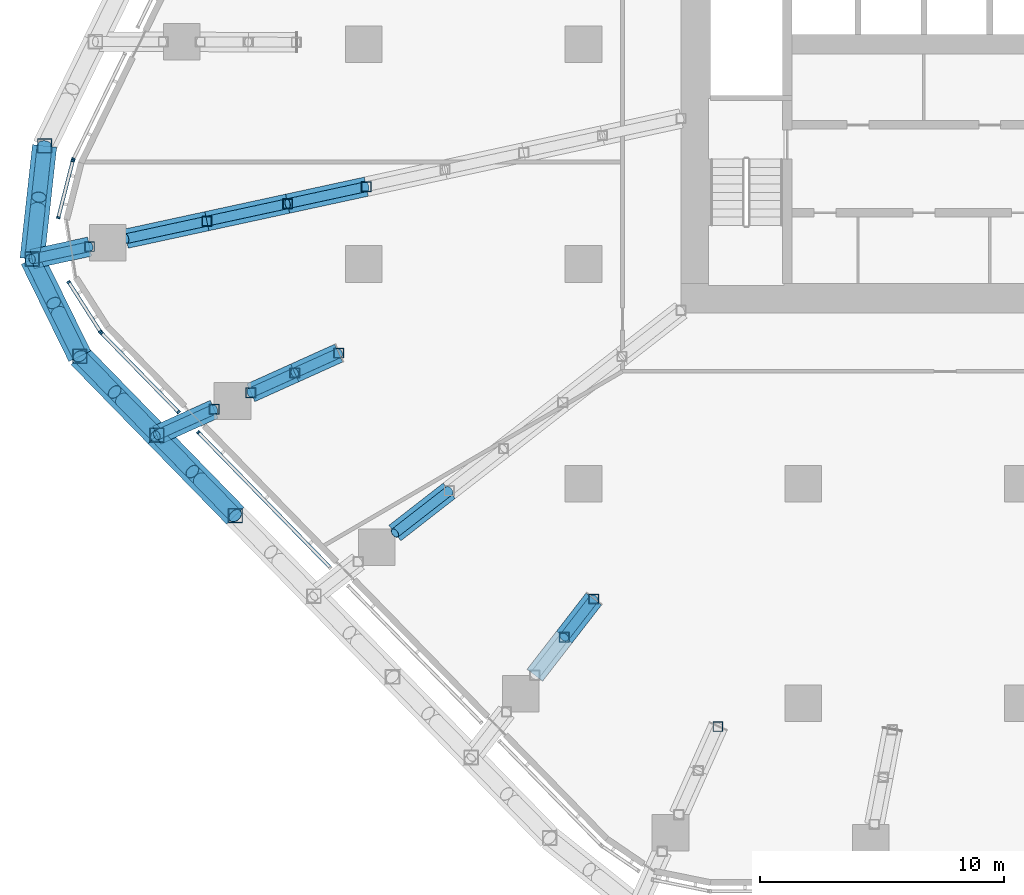
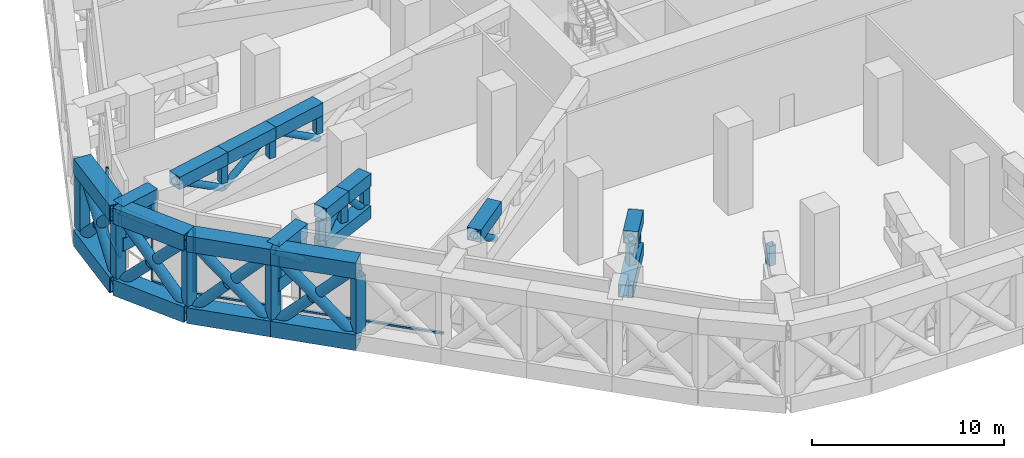
# One storey, part 3 of 38: 70 members, 3 elements without a shape of their own.
"""IFC4 building model written with IfcOpenShell, lengths in metres."""

from ifc_helpers import new_model, si_unit, direction, frame, origin, origin_2d, place, context, subcontext, project, spatial, rectangle, hollow_rectangle, hollow_circle, extrude, material, layer, layer_set, material_profile, profile_set, type_object, element, aggregate, save


model = new_model("IFC4")

# Units and contexts
model_context = context("Model", 3, precision=1e-05, world=origin(), true_north=direction((0.0, 1.0)))
body_context = subcontext(model_context, "Body", "Model", "MODEL_VIEW")
ifc_project = project(units=[si_unit("LENGTHUNIT", "METRE"), si_unit("AREAUNIT", "SQUARE_METRE"), si_unit("VOLUMEUNIT", "CUBIC_METRE"), si_unit("PLANEANGLEUNIT", "RADIAN"), si_unit("MASSUNIT", "GRAM", prefix="KILO")], contexts=[model_context])

# Site, building, storey
site_placement = place(None, origin())
site = spatial("IfcSite", under=ifc_project, at=site_placement, CompositionType="ELEMENT")
building_placement = place(site_placement, origin())
building = spatial("IfcBuilding", under=site, at=building_placement, Name="Dongbaek Canopy Tower", CompositionType="ELEMENT")
storey_placement = place(building_placement, frame((0.0, 0.0, 89.199951171875)))
storey = spatial("IfcBuildingStorey", under=building, at=storey_placement, Name="L18", CompositionType="ELEMENT", Elevation=89.199951171875)

# Members
ifc_material_1 = material(Name="Steel S355", Category="steel")
ifc_material_profile_1 = material_profile(ifc_material_1, hollow_circle(Radius=0.304931640625, WallThickness=0.01611328125, at=origin_2d()), Name="BELT BRACE CHS 610.0x16.0 Steel S355")
ifc_profile_set_1 = profile_set([ifc_material_profile_1], Name="Steel S355")
member_type_1 = type_object("IfcMemberType", Name="BELT BRACE CHS 610.0x16.0 Steel S355", PredefinedType="BRACE", material=ifc_profile_set_1)
member_1_placement = place(storey_placement, frame((-32.268310546875, -19.31201171875, 0.5), z_axis=(-0.496768495974, 0.509398842525, 0.702661996013), x_axis=(-0.715926637766, -0.698175514707, 0.0)))
element("IfcMember", 1, at=member_1_placement, inside=storey, type_object=member_type_1, Name="BELT:L18:6:D1:0", PredefinedType="BRACE", context=body_context, shape_type="SweptSolid", body=[
    extrude(hollow_circle(Radius=0.304931640625, WallThickness=0.01611328125, at=origin_2d()), origin(), (0.0, 0.0, 1.0), 6.475341796875),
])
for number, where, z_axis, x_axis, name in (
    (2, (-35.485107421875, -16.013427734375, 0.5), (0.496736744579, -0.509390336866, 0.702690608513), (0.715943116405, 0.6981586167, 0.0), "BELT:L18:6:D1:1"),
    (3, (-32.268310546875, -19.31201171875, 5.050048828125), (-0.496736744579, 0.509390336866, -0.702690608513), (-0.715943116405, -0.6981586167, 0.0), "BELT:L18:6:D1:2"),
):
    element("IfcMember", number, at=place(storey_placement, frame(where, z_axis=z_axis, x_axis=x_axis)), inside=storey, type_object=member_type_1, Name=name, PredefinedType="BRACE", context=body_context, shape_type="SweptSolid", body=[
        extrude(hollow_circle(Radius=0.304931640625, WallThickness=0.01611328125, at=origin_2d()), origin(), (0.0, 0.0, 1.0), 2.9326171875),
    ])
member_2_placement = place(storey_placement, frame((-35.485107421875, -16.013427734375, 0.5), z_axis=(-0.491917266687, 0.504406535475, 0.70964177562), x_axis=(-0.715914367635, -0.698188096586, 0.0)))
element("IfcMember", 4, at=member_2_placement, inside=storey, type_object=member_type_1, Name="BELT:L18:7:D0:0", PredefinedType="BRACE", context=body_context, shape_type="SweptSolid", body=[
    extrude(hollow_circle(Radius=0.304931640625, WallThickness=0.01611328125, at=origin_2d()), origin(), (0.0, 0.0, 1.0), 6.411865234375),
])
for number, where, z_axis, x_axis, name in (
    (5, (-38.63916015625, -12.779296875, 0.5), (0.491905289818, -0.504444877189, 0.709622823567), (0.715949390148, 0.698152183085, 0.0), "BELT:L18:7:D0:1"),
    (6, (-35.485107421875, -16.013427734375, 5.050048828125), (-0.491926172372, 0.504382130201, -0.70965294875), (-0.715891163539, -0.698211889018, 0.0), "BELT:L18:7:D0:2"),
):
    element("IfcMember", number, at=place(storey_placement, frame(where, z_axis=z_axis, x_axis=x_axis)), inside=storey, type_object=member_type_1, Name=name, PredefinedType="BRACE", context=body_context, shape_type="SweptSolid", body=[
        extrude(hollow_circle(Radius=0.304931640625, WallThickness=0.01611328125, at=origin_2d()), origin(), (0.0, 0.0, 1.0), 2.90087890625),
    ])
member_3_placement = place(storey_placement, frame((-38.63916015625, -12.779296875, 0.5), z_axis=(-0.307653292714, 0.626753792474, 0.715911401712), x_axis=(-0.897682251384, -0.44064336549, 0.0)))
element("IfcMember", 7, at=member_3_placement, inside=storey, type_object=member_type_1, Name="BELT:L18:7:D1:0", PredefinedType="BRACE", context=body_context, shape_type="SweptSolid", body=[
    extrude(hollow_circle(Radius=0.304931640625, WallThickness=0.01611328125, at=origin_2d()), origin(), (0.0, 0.0, 1.0), 6.355712890625),
])
member_4_placement = place(storey_placement, frame((-40.594482421875, -8.7958984375, 0.5), z_axis=(0.307643885147, -0.626760677613, 0.715909416707), x_axis=(0.897689495819, 0.440628606761, 0.0)))
element("IfcMember", 8, at=member_4_placement, inside=storey, type_object=member_type_1, Name="BELT:L18:7:D1:1", PredefinedType="BRACE", context=body_context, shape_type="SweptSolid", body=[
    extrude(hollow_circle(Radius=0.304931640625, WallThickness=0.01611328125, at=origin_2d()), origin(), (0.0, 0.0, 1.0), 2.872802734375),
])
member_5_placement = place(storey_placement, frame((-38.63916015625, -12.779296875, 5.050048828125), z_axis=(-0.307660271979, 0.626709073363, -0.715947550042), x_axis=(-0.897665859454, -0.440676757692, 0.0)))
element("IfcMember", 9, at=member_5_placement, inside=storey, type_object=member_type_1, Name="BELT:L18:7:D1:2", PredefinedType="BRACE", context=body_context, shape_type="SweptSolid", body=[
    extrude(hollow_circle(Radius=0.304931640625, WallThickness=0.01611328125, at=origin_2d()), origin(), (0.0, 0.0, 1.0), 2.87255859375),
])
member_6_placement = place(storey_placement, frame((-40.594482421875, -8.7958984375, 0.5), z_axis=(0.078299787916, 0.711591469706, 0.698216816937), x_axis=(-0.994000601443, 0.109374605508, 0.0)))
element("IfcMember", 10, at=member_6_placement, inside=storey, type_object=member_type_1, Name="BELT:L18:8:D0:0", PredefinedType="BRACE", context=body_context, shape_type="SweptSolid", body=[
    extrude(hollow_circle(Radius=0.304931640625, WallThickness=0.01611328125, at=origin_2d()), origin(), (0.0, 0.0, 1.0), 6.5166015625),
])
member_7_placement = place(storey_placement, frame((-40.084228515625, -4.15869140625, 0.5), z_axis=(-0.078286017291, -0.711600883672, 0.69820876667), x_axis=(0.994002849803, -0.109354170395, 0.0)))
element("IfcMember", 11, at=member_7_placement, inside=storey, type_object=member_type_1, Name="BELT:L18:8:D0:1", PredefinedType="BRACE", context=body_context, shape_type="SweptSolid", body=[
    extrude(hollow_circle(Radius=0.304931640625, WallThickness=0.01611328125, at=origin_2d()), origin(), (0.0, 0.0, 1.0), 2.953369140625),
])
member_8_placement = place(storey_placement, frame((-40.594482421875, -8.7958984375, 5.050048828125), z_axis=(0.078290622697, 0.711560073449, -0.698249840868), x_axis=(-0.994001468685, 0.109366723695, 0.0)))
element("IfcMember", 12, at=member_8_placement, inside=storey, type_object=member_type_1, Name="BELT:L18:8:D0:2", PredefinedType="BRACE", context=body_context, shape_type="SweptSolid", body=[
    extrude(hollow_circle(Radius=0.304931640625, WallThickness=0.01611328125, at=origin_2d()), origin(), (0.0, 0.0, 1.0), 2.953125),
])
ifc_material_2 = material(Name="Steel S355", Category="steel")
ifc_material_profile_2 = material_profile(ifc_material_2, hollow_rectangle(XDim=1.0, YDim=1.0, WallThickness=0.050048828125, at=origin_2d()), Name="BELT CHORD BOX 1000x1000x50 Steel S355")
ifc_profile_set_2 = profile_set([ifc_material_profile_2], Name="Steel S355")
member_type_2 = type_object("IfcMemberType", Name="BELT CHORD BOX 1000x1000x50 Steel S355", PredefinedType="CHORD", material=ifc_profile_set_2)
for number, where, z_axis, x_axis, name in (
    (13, (-32.268310546875, -19.31201171875, 0.5), (-0.698175514707, 0.715926637766, 0.0), (-0.715926637766, -0.698175514707, 0.0), "BELT:L18:6:CB1"),
    (14, (-32.268310546875, -19.31201171875, 5.050048828125), (-0.698175514707, 0.715926637766, 0.0), (-0.715926637766, -0.698175514707, 0.0), "BELT:L18:6:CT1"),
):
    element("IfcMember", number, at=place(storey_placement, frame(where, z_axis=z_axis, x_axis=x_axis)), inside=storey, type_object=member_type_2, Name=name, PredefinedType="CHORD", context=body_context, shape_type="SweptSolid", body=[
        extrude(hollow_rectangle(XDim=1.0, YDim=1.0, WallThickness=0.050048828125, at=origin_2d()), origin(), (0.0, 0.0, 1.0), 4.607421875),
    ])
for number, where, z_axis, x_axis, name in (
    (15, (-35.485107421875, -16.013427734375, 0.5), (-0.698188096586, 0.715914367635, 0.0), (-0.715914367635, -0.698188096586, 0.0), "BELT:L18:7:CB0"),
    (16, (-35.485107421875, -16.013427734375, 5.050048828125), (-0.698188096586, 0.715914367635, 0.0), (-0.715914367635, -0.698188096586, 0.0), "BELT:L18:7:CT0"),
):
    element("IfcMember", number, at=place(storey_placement, frame(where, z_axis=z_axis, x_axis=x_axis)), inside=storey, type_object=member_type_2, Name=name, PredefinedType="CHORD", context=body_context, shape_type="SweptSolid", body=[
        extrude(hollow_rectangle(XDim=1.0, YDim=1.0, WallThickness=0.050048828125, at=origin_2d()), origin(), (0.0, 0.0, 1.0), 4.517578125),
    ])
for number, where, z_axis, x_axis, name in (
    (17, (-38.63916015625, -12.779296875, 0.5), (-0.44064336549, 0.897682251384, 0.0), (-0.897682251384, -0.44064336549, 0.0), "BELT:L18:7:CB1"),
    (18, (-38.63916015625, -12.779296875, 5.050048828125), (-0.44064336549, 0.897682251384, 0.0), (-0.897682251384, -0.44064336549, 0.0), "BELT:L18:7:CT1"),
):
    element("IfcMember", number, at=place(storey_placement, frame(where, z_axis=z_axis, x_axis=x_axis)), inside=storey, type_object=member_type_2, Name=name, PredefinedType="CHORD", context=body_context, shape_type="SweptSolid", body=[
        extrude(hollow_rectangle(XDim=1.0, YDim=1.0, WallThickness=0.050048828125, at=origin_2d()), origin(), (0.0, 0.0, 1.0), 4.4375),
    ])
for number, where, z_axis, x_axis, name in (
    (19, (-40.594482421875, -8.7958984375, 0.5), (0.109374605508, 0.994000601443, 0.0), (-0.994000601443, 0.109374605508, 0.0), "BELT:L18:8:CB0"),
    (20, (-40.594482421875, -8.7958984375, 5.050048828125), (0.109374605508, 0.994000601443, 0.0), (-0.994000601443, 0.109374605508, 0.0), "BELT:L18:8:CT0"),
):
    element("IfcMember", number, at=place(storey_placement, frame(where, z_axis=z_axis, x_axis=x_axis)), inside=storey, type_object=member_type_2, Name=name, PredefinedType="CHORD", context=body_context, shape_type="SweptSolid", body=[
        extrude(hollow_rectangle(XDim=1.0, YDim=1.0, WallThickness=0.050048828125, at=origin_2d()), origin(), (0.0, 0.0, 1.0), 4.665283203125),
    ])
ifc_material_3 = material(Name="Steel S355", Category="steel")
ifc_material_profile_3 = material_profile(ifc_material_3, hollow_rectangle(XDim=0.60009765625, YDim=0.60009765625, WallThickness=0.031982421875, at=origin_2d()), Name="BELT POST BOX 600x600x32 Steel S355")
ifc_profile_set_3 = profile_set([ifc_material_profile_3], Name="Steel S355")
member_type_3 = type_object("IfcMemberType", Name="BELT POST BOX 600x600x32 Steel S355", PredefinedType="POST", material=ifc_profile_set_3)
for number, where, z_axis, x_axis, name in (
    (21, (-32.268310546875, -19.31201171875, 1.0), (0.0, 0.0, 1.0), (1.0, 0.0, 0.0), "BELT:L18:6:P1"),
    (22, (-35.485107421875, -16.013427734375, 1.0), (0.0, 0.0, 1.0), (1.0, 0.0, 0.0), "BELT:L18:7:P0"),
    (23, (-38.63916015625, -12.779296875, 1.0), (0.0, 0.0, 1.0), (1.0, 0.0, 0.0), "BELT:L18:7:P1"),
    (24, (-40.594482421875, -8.7958984375, 1.0), (0.0, 0.0, 1.0), (1.0, 0.0, 0.0), "BELT:L18:8:P0"),
    (25, (-40.084228515625, -4.15869140625, 1.0), (0.0, 0.0, 1.0), (1.0, 0.0, 0.0), "BELT:L18:8:P1"),
):
    element("IfcMember", number, at=place(storey_placement, frame(where, z_axis=z_axis, x_axis=x_axis)), inside=storey, type_object=member_type_3, Name=name, PredefinedType="POST", context=body_context, shape_type="SweptSolid", body=[
        extrude(hollow_rectangle(XDim=0.60009765625, YDim=0.60009765625, WallThickness=0.031982421875, at=origin_2d()), origin(), (0.0, 0.0, 1.0), 3.550048828125),
    ])
ifc_material_4 = material(Name="Steel S355", Category="steel")
ifc_material_profile_4 = material_profile(ifc_material_4, hollow_circle(Radius=0.203125, WallThickness=0.0126953125, at=origin_2d()), Name="BRACE CHS 406.4x12.7 Steel S355")
ifc_profile_set_4 = profile_set([ifc_material_profile_4], Name="Steel S355")
member_type_4 = type_object("IfcMemberType", Name="BRACE CHS 406.4x12.7 Steel S355", PredefinedType="BRACE", material=ifc_profile_set_4)
for number, where, z_axis, x_axis, name in (
    (26, (-17.577392578125, -22.727294921875, 3.10009765625), (-0.424432221023, -0.548871734603, 0.720136868041), (0.791072922224, -0.611721858138, 0.0), "TRUSS:L18:5:D0"),
    (27, (-28.031494140625, -12.64990234375, 3.10009765625), (-0.632421283321, -0.285335721401, 0.720157515059), (0.411258807474, -0.91151861927, 0.0), "TRUSS:L18:7:D0"),
    (28, (-29.831787109375, -13.462158203125, 5.150146484375), (-0.632421283321, -0.285335721401, -0.720157515059), (0.411258807474, -0.91151861927, 0.0), "TRUSS:L18:7:D1"),
):
    element("IfcMember", number, at=place(storey_placement, frame(where, z_axis=z_axis, x_axis=x_axis)), inside=storey, type_object=member_type_4, Name=name, PredefinedType="BRACE", context=body_context, shape_type="SweptSolid", body=[
        extrude(hollow_circle(Radius=0.203125, WallThickness=0.0126953125, at=origin_2d()), origin(), (0.0, 0.0, 1.0), 2.8466796875),
    ])
member_9_placement = place(storey_placement, frame((-33.132080078125, -14.951416015625, 3.10009765625), z_axis=(-0.713782688323, -0.322157573584, 0.621875205836), x_axis=(0.411378935922, -0.91146441021, 0.0)))
element("IfcMember", 29, at=member_9_placement, inside=storey, type_object=member_type_4, Name="TRUSS:L18:7x:D0", PredefinedType="BRACE", context=body_context, shape_type="SweptSolid", body=[
    extrude(hollow_circle(Radius=0.203125, WallThickness=0.0126953125, at=origin_2d()), origin(), (0.0, 0.0, 1.0), 3.296630859375),
])
member_10_placement = place(storey_placement, frame((-38.239013671875, -8.285400390625, 3.10009765625), z_axis=(-0.744435150232, -0.161340578269, 0.647908577581), x_axis=(0.211811399397, -0.977310560204, 0.0)))
element("IfcMember", 30, at=member_10_placement, inside=storey, type_object=member_type_4, Name="TRUSS:L18:8x:D0", PredefinedType="BRACE", context=body_context, shape_type="SweptSolid", body=[
    extrude(hollow_circle(Radius=0.203125, WallThickness=0.0126953125, at=origin_2d()), origin(), (0.0, 0.0, 1.0), 3.1640625),
])
ifc_material_5 = material(Name="Steel S355", Category="steel")
ifc_material_profile_5 = material_profile(ifc_material_5, hollow_rectangle(XDim=0.800048828125, YDim=0.800048828125, WallThickness=0.0400390625, at=origin_2d()), Name="CHORD BOX 800x800x40 Steel S355")
ifc_profile_set_5 = profile_set([ifc_material_profile_5], Name="Steel S355")
member_type_5 = type_object("IfcMemberType", Name="CHORD BOX 800x800x40 Steel S355", PredefinedType="CHORD", material=ifc_profile_set_5)
member_11_placement = place(storey_placement, frame((-17.577392578125, -22.727294921875, 3.10009765625), z_axis=(-0.611751766454, -0.791049793781, 0.0), x_axis=(0.791049793781, -0.611751766454, 0.0)))
element("IfcMember", 31, at=member_11_placement, inside=storey, type_object=member_type_5, Name="TRUSS:L18:5:CB", PredefinedType="CHORD", context=body_context, shape_type="SweptSolid", body=[
    extrude(hollow_rectangle(XDim=0.800048828125, YDim=0.800048828125, WallThickness=0.0400390625, at=origin_2d()), origin(), (0.0, 0.0, 1.0), 3.9501953125),
])
member_12_placement = place(storey_placement, frame((-17.577392578125, -22.727294921875, 5.150146484375), z_axis=(-0.611721858138, -0.791072922224, 0.0), x_axis=(0.791072922224, -0.611721858138, 0.0)))
element("IfcMember", 32, at=member_12_placement, inside=storey, type_object=member_type_5, Name="TRUSS:L18:5:CT0", PredefinedType="CHORD", context=body_context, shape_type="SweptSolid", body=[
    extrude(hollow_rectangle(XDim=0.800048828125, YDim=0.800048828125, WallThickness=0.0400390625, at=origin_2d()), origin(), (0.0, 0.0, 1.0), 1.97509765625),
])
member_13_placement = place(storey_placement, frame((-28.031494140625, -12.64990234375, 3.10009765625), z_axis=(-0.91151861927, -0.411258807474, 0.0), x_axis=(0.411258807474, -0.91151861927, 0.0)))
element("IfcMember", 33, at=member_13_placement, inside=storey, type_object=member_type_5, Name="TRUSS:L18:7:CB", PredefinedType="CHORD", context=body_context, shape_type="SweptSolid", body=[
    extrude(hollow_rectangle(XDim=0.800048828125, YDim=0.800048828125, WallThickness=0.0400390625, at=origin_2d()), origin(), (0.0, 0.0, 1.0), 3.9501953125),
])
for number, where, z_axis, x_axis, name in (
    (34, (-28.031494140625, -12.64990234375, 5.150146484375), (-0.91151861927, -0.411258807474, 0.0), (0.411258807474, -0.91151861927, 0.0), "TRUSS:L18:7:CT0"),
    (35, (-29.831787109375, -13.462158203125, 5.150146484375), (-0.91151861927, -0.411258807474, 0.0), (0.411258807474, -0.91151861927, 0.0), "TRUSS:L18:7:CT1"),
):
    element("IfcMember", number, at=place(storey_placement, frame(where, z_axis=z_axis, x_axis=x_axis)), inside=storey, type_object=member_type_5, Name=name, PredefinedType="CHORD", context=body_context, shape_type="SweptSolid", body=[
        extrude(hollow_rectangle(XDim=0.800048828125, YDim=0.800048828125, WallThickness=0.0400390625, at=origin_2d()), origin(), (0.0, 0.0, 1.0), 1.97509765625),
    ])
for number, where, z_axis, x_axis, name in (
    (36, (-33.132080078125, -14.951416015625, 3.10009765625), (-0.91146441021, -0.411378935922, 0.0), (0.411378935922, -0.91146441021, 0.0), "TRUSS:L18:7x:CB"),
    (37, (-33.132080078125, -14.951416015625, 5.150146484375), (-0.91146441021, -0.411378935922, 0.0), (0.411378935922, -0.91146441021, 0.0), "TRUSS:L18:7x:CT0"),
):
    element("IfcMember", number, at=place(storey_placement, frame(where, z_axis=z_axis, x_axis=x_axis)), inside=storey, type_object=member_type_5, Name=name, PredefinedType="CHORD", context=body_context, shape_type="SweptSolid", body=[
        extrude(hollow_rectangle(XDim=0.800048828125, YDim=0.800048828125, WallThickness=0.0400390625, at=origin_2d()), origin(), (0.0, 0.0, 1.0), 2.58154296875),
    ])
for number, where, z_axis, x_axis, name in (
    (38, (-38.239013671875, -8.285400390625, 3.10009765625), (-0.977310560204, -0.211811399397, 0.0), (0.211811399397, -0.977310560204, 0.0), "TRUSS:L18:8x:CB"),
    (39, (-38.239013671875, -8.285400390625, 5.150146484375), (-0.977310560204, -0.211811399397, 0.0), (0.211811399397, -0.977310560204, 0.0), "TRUSS:L18:8x:CT0"),
):
    element("IfcMember", number, at=place(storey_placement, frame(where, z_axis=z_axis, x_axis=x_axis)), inside=storey, type_object=member_type_5, Name=name, PredefinedType="CHORD", context=body_context, shape_type="SweptSolid", body=[
        extrude(hollow_rectangle(XDim=0.800048828125, YDim=0.800048828125, WallThickness=0.0400390625, at=origin_2d()), origin(), (0.0, 0.0, 1.0), 2.41015625),
    ])

# Curtain wall, member
ifc_material_6 = material(Name="Aluminium 6063-T6 pale anodised", Category="aluminium")
ifc_layer = layer(ifc_material_6, 0.14990234375)
ifc_layer_set = layer_set([ifc_layer], Name="CW-7 louvre curtain wall")
curtain_wall_type = type_object("IfcCurtainWallType", Name="CW-7 louvre curtain wall", PredefinedType="NOTDEFINED", material=ifc_layer_set)
curtain_wall_1_placement = place(storey_placement, origin())
curtain_wall_1 = element("IfcCurtainWall", 40, at=curtain_wall_1_placement, inside=storey, type_object=curtain_wall_type, Name="CW-7 louvre wall L18 F2", PredefinedType="NOTDEFINED")
ifc_material_7 = material(Name="Aluminium 6063-T6 pale anodised", Category="aluminium")
ifc_material_profile_6 = material_profile(ifc_material_7, rectangle(XDim=0.14990234375, YDim=0.080078125, at=origin_2d()), Name="CW-7 mullion 80 x 150")
ifc_profile_set_6 = profile_set([ifc_material_profile_6], Name="Aluminium 6063-T6 pale anodised")
member_type_6 = type_object("IfcMemberType", Name="CW-7 mullion 80 x 150", PredefinedType="MULLION", material=ifc_profile_set_6)
member_14_placement = place(storey_placement, frame((-38.903564453125, -4.701416015625, 0.775146484375), z_axis=(0.0, 0.0, 1.0), x_axis=(-0.898815091444, 0.438327995219, 0.0)))
member_14 = element("IfcMember", 41, at=member_14_placement, type_object=member_type_6, Name="CW-7 mullion L18 F2.5.2", PredefinedType="MULLION", context=body_context, shape_type="SweptSolid", body=[
    extrude(rectangle(XDim=0.14990234375, YDim=0.080078125, at=origin_2d()), origin(), (0.0, 0.0, 1.0), 4.0),
])
aggregate(curtain_wall_1, [member_14])

# Curtain wall, members
curtain_wall_2_placement = place(storey_placement, origin())
curtain_wall_2 = element("IfcCurtainWall", 42, at=curtain_wall_2_placement, inside=storey, type_object=curtain_wall_type, Name="CW-7 louvre wall L18 K3", PredefinedType="NOTDEFINED")
member_15_placement = place(storey_placement, frame((-38.92822265625, -4.768310546875, 0.775146484375), z_axis=(0.0, 0.0, 1.0), x_axis=(-0.969083967961, 0.246731155393, 0.0)))
member_15 = element("IfcMember", 43, at=member_15_placement, type_object=member_type_6, Name="CW-7 mullion L18 K3.1.1", PredefinedType="MULLION", context=body_context, shape_type="SweptSolid", body=[
    extrude(rectangle(XDim=0.14990234375, YDim=0.080078125, at=origin_2d()), origin(), (0.0, 0.0, 1.0), 4.0),
])
member_16_placement = place(storey_placement, frame((-39.521484375, -7.09912109375, 0.775146484375), z_axis=(0.0, 0.0, 1.0), x_axis=(-0.969083967961, 0.246731155393, 0.0)))
member_16 = element("IfcMember", 44, at=member_16_placement, type_object=member_type_6, Name="CW-7 mullion L18 K3.1.2", PredefinedType="MULLION", context=body_context, shape_type="SweptSolid", body=[
    extrude(rectangle(XDim=0.14990234375, YDim=0.080078125, at=origin_2d()), origin(), (0.0, 0.0, 1.0), 4.0),
])
member_17_placement = place(storey_placement, frame((-39.096923828125, -9.73828125, 0.775146484375), z_axis=(0.0, 0.0, 1.0), x_axis=(-0.8427514505, -0.538302881917, 0.0)))
member_17 = element("IfcMember", 45, at=member_17_placement, type_object=member_type_6, Name="CW-7 mullion L18 K3.2.1", PredefinedType="MULLION", context=body_context, shape_type="SweptSolid", body=[
    extrude(rectangle(XDim=0.14990234375, YDim=0.080078125, at=origin_2d()), origin(), (0.0, 0.0, 1.0), 4.0),
])
member_18_placement = place(storey_placement, frame((-37.80224609375, -11.76513671875, 0.775146484375), z_axis=(0.0, 0.0, 1.0), x_axis=(-0.8427514505, -0.538302881917, 0.0)))
member_18 = element("IfcMember", 46, at=member_18_placement, type_object=member_type_6, Name="CW-7 mullion L18 K3.2.2", PredefinedType="MULLION", context=body_context, shape_type="SweptSolid", body=[
    extrude(rectangle(XDim=0.14990234375, YDim=0.080078125, at=origin_2d()), origin(), (0.0, 0.0, 1.0), 4.0),
])

curtain_wall_3_placement = place(storey_placement, origin())
curtain_wall_3 = element("IfcCurtainWall", 47, at=curtain_wall_3_placement, inside=storey, type_object=curtain_wall_type, Name="CW-7 louvre wall L18 F3", PredefinedType="NOTDEFINED")
member_19_placement = place(storey_placement, frame((-37.7578125, -11.821044921875, 0.775146484375), z_axis=(0.0, 0.0, 1.0), x_axis=(-0.715921010909, -0.698181284581, 0.0)))
member_19 = element("IfcMember", 48, at=member_19_placement, type_object=member_type_6, Name="CW-7 mullion L18 F3.1.1", PredefinedType="MULLION", context=body_context, shape_type="SweptSolid", body=[
    extrude(rectangle(XDim=0.14990234375, YDim=0.080078125, at=origin_2d()), origin(), (0.0, 0.0, 1.0), 4.0),
])
member_20_placement = place(storey_placement, frame((-34.5927734375, -15.066650390625, 0.775146484375), z_axis=(0.0, 0.0, 1.0), x_axis=(-0.715921010909, -0.698181284581, 0.0)))
member_20 = element("IfcMember", 49, at=member_20_placement, type_object=member_type_6, Name="CW-7 mullion L18 F3.1.2", PredefinedType="MULLION", context=body_context, shape_type="SweptSolid", body=[
    extrude(rectangle(XDim=0.14990234375, YDim=0.080078125, at=origin_2d()), origin(), (0.0, 0.0, 1.0), 4.0),
])
member_21_placement = place(storey_placement, frame((-33.78662109375, -15.893310546875, 0.775146484375), z_axis=(0.0, 0.0, 1.0), x_axis=(-0.715921010909, -0.698181284581, 0.0)))
member_21 = element("IfcMember", 50, at=member_21_placement, type_object=member_type_6, Name="CW-7 mullion L18 F3.2.1", PredefinedType="MULLION", context=body_context, shape_type="SweptSolid", body=[
    extrude(rectangle(XDim=0.14990234375, YDim=0.080078125, at=origin_2d()), origin(), (0.0, 0.0, 1.0), 4.0),
])

# Member
ifc_material_8 = material(Name="Aluminium 6063-T6 pale anodised", Category="aluminium")
ifc_material_profile_7 = material_profile(ifc_material_8, rectangle(XDim=0.14990234375, YDim=0.1201171875, at=origin_2d()), Name="CW-7 transom 120 x 150")
ifc_profile_set_7 = profile_set([ifc_material_profile_7], Name="Aluminium 6063-T6 pale anodised")
member_type_7 = type_object("IfcMemberType", Name="CW-7 transom 120 x 150", PredefinedType="USERDEFINED", material=ifc_profile_set_7)
member_22_placement = place(storey_placement, frame((-38.92822265625, -4.768310546875, 0.715087890625), z_axis=(-0.246665414203, -0.969100703455, 0.0), x_axis=(0.969100703455, -0.246665414203, 0.0)))
member_22 = element("IfcMember", 51, at=member_22_placement, type_object=member_type_7, Name="CW-7 transom L18 K3.1", ObjectType="TRANSOM", PredefinedType="USERDEFINED", context=body_context, shape_type="SweptSolid", body=[
    extrude(rectangle(XDim=0.14990234375, YDim=0.1201171875, at=origin_2d()), origin(), (0.0, 0.0, 1.0), 2.405029296875),
])

member_23_placement = place(storey_placement, frame((-39.096923828125, -9.73828125, 0.715087890625), z_axis=(0.538313183325, -0.842744870443, 0.0), x_axis=(0.842744870443, 0.538313183325, 0.0)))
member_23 = element("IfcMember", 52, at=member_23_placement, type_object=member_type_7, Name="CW-7 transom L18 K3.2", ObjectType="TRANSOM", PredefinedType="USERDEFINED", context=body_context, shape_type="SweptSolid", body=[
    extrude(rectangle(XDim=0.14990234375, YDim=0.1201171875, at=origin_2d()), origin(), (0.0, 0.0, 1.0), 2.405029296875),
])

aggregate(curtain_wall_2, [member_22, member_15, member_16, member_23, member_17, member_18])

member_24_placement = place(storey_placement, frame((-37.7578125, -11.821044921875, 0.715087890625), z_axis=(0.698165013606, -0.715936878346, 0.0), x_axis=(0.715936878346, 0.698165013606, 0.0)))
member_24 = element("IfcMember", 53, at=member_24_placement, type_object=member_type_7, Name="CW-7 transom L18 F3.1", ObjectType="TRANSOM", PredefinedType="USERDEFINED", context=body_context, shape_type="SweptSolid", body=[
    extrude(rectangle(XDim=0.14990234375, YDim=0.1201171875, at=origin_2d()), origin(), (0.0, 0.0, 1.0), 4.533447265625),
])

member_25_placement = place(storey_placement, frame((-33.78662109375, -15.893310546875, 0.715087890625), z_axis=(0.698186501695, -0.715915923032, 0.0), x_axis=(0.715915923032, 0.698186501695, 0.0)))
member_25 = element("IfcMember", 54, at=member_25_placement, type_object=member_type_7, Name="CW-7 transom L18 F3.2", ObjectType="TRANSOM", PredefinedType="USERDEFINED", context=body_context, shape_type="SweptSolid", body=[
    extrude(rectangle(XDim=0.14990234375, YDim=0.1201171875, at=origin_2d()), origin(), (0.0, 0.0, 1.0), 7.752685546875),
])

aggregate(curtain_wall_3, [member_24, member_19, member_20, member_25, member_21])

# Members
ifc_material_9 = material(Name="Steel S355", Category="steel")
ifc_material_profile_8 = material_profile(ifc_material_9, hollow_circle(Radius=0.203125, WallThickness=0.0126953125, at=origin_2d()), Name="OUTRIGGER BRACE CHS 406.4x12.7 Steel S355")
ifc_profile_set_8 = profile_set([ifc_material_profile_8], Name="Steel S355")
member_type_8 = type_object("IfcMemberType", Name="OUTRIGGER BRACE CHS 406.4x12.7 Steel S355", PredefinedType="BRACE", material=ifc_profile_set_8)
member_26_placement = place(storey_placement, frame((-23.50244140625, -18.2919921875, 3.10009765625), z_axis=(-0.638303546031, -0.496862874357, 0.587959069332), x_axis=(0.614252193052, -0.789109779011, 0.0)))
element("IfcMember", 55, at=member_26_placement, inside=storey, type_object=member_type_8, Name="TRUSS:L18:6:D4", PredefinedType="BRACE", context=body_context, shape_type="SweptSolid", body=[
    extrude(hollow_circle(Radius=0.203125, WallThickness=0.0126953125, at=origin_2d()), origin(), (0.0, 0.0, 1.0), 3.48681640625),
])
member_27_placement = place(storey_placement, frame((-26.89990234375, -5.82861328125, 3.10009765625), z_axis=(-0.83016972398, -0.179859632856, 0.527701375644), x_axis=(0.21174156926, -0.977325691797, 0.0)))
element("IfcMember", 56, at=member_27_placement, inside=storey, type_object=member_type_8, Name="TRUSS:L18:8:D4", PredefinedType="BRACE", context=body_context, shape_type="SweptSolid", body=[
    extrude(hollow_circle(Radius=0.203125, WallThickness=0.0126953125, at=origin_2d()), origin(), (0.0, 0.0, 1.0), 3.884765625),
])
for number, where, z_axis, x_axis, name in (
    (57, (-30.125, -6.52734375, 5.150146484375), (-0.835870902811, -0.181120789941, -0.518184420148), (0.211770576521, -0.977319406806, 0.0), "TRUSS:L18:8:D5"),
    (58, (-33.431884765625, -7.243896484375, 3.10009765625), (-0.835889496019, -0.18111144772, 0.518157692165), (0.211755644116, -0.977322642317, 0.0), "TRUSS:L18:8:D6"),
):
    element("IfcMember", number, at=place(storey_placement, frame(where, z_axis=z_axis, x_axis=x_axis)), inside=storey, type_object=member_type_8, Name=name, PredefinedType="BRACE", context=body_context, shape_type="SweptSolid", body=[
        extrude(hollow_circle(Radius=0.203125, WallThickness=0.0126953125, at=origin_2d()), origin(), (0.0, 0.0, 1.0), 3.956298828125),
    ])
ifc_material_10 = material(Name="Steel S355", Category="steel")
ifc_material_profile_9 = material_profile(ifc_material_10, hollow_rectangle(XDim=0.800048828125, YDim=0.800048828125, WallThickness=0.0400390625, at=origin_2d()), Name="OUTRIGGER CHORD BOX 800x800x40 Steel S355")
ifc_profile_set_9 = profile_set([ifc_material_profile_9], Name="Steel S355")
member_type_9 = type_object("IfcMemberType", Name="OUTRIGGER CHORD BOX 800x800x40 Steel S355", PredefinedType="CHORD", material=ifc_profile_set_9)
member_28_placement = place(storey_placement, frame((-23.50244140625, -18.2919921875, 5.150146484375), z_axis=(-0.789109779011, -0.614252193052, 0.0), x_axis=(0.614252193052, -0.789109779011, 0.0)))
element("IfcMember", 59, at=member_28_placement, inside=storey, type_object=member_type_9, Name="TRUSS:L18:6:CT4", PredefinedType="CHORD", context=body_context, shape_type="SweptSolid", body=[
    extrude(hollow_rectangle(XDim=0.800048828125, YDim=0.800048828125, WallThickness=0.0400390625, at=origin_2d()), origin(), (0.0, 0.0, 1.0), 2.8203125),
])
member_29_placement = place(storey_placement, frame((-26.89990234375, -5.82861328125, 5.150146484375), z_axis=(-0.977325691797, -0.21174156926, 0.0), x_axis=(0.21174156926, -0.977325691797, 0.0)))
element("IfcMember", 60, at=member_29_placement, inside=storey, type_object=member_type_9, Name="TRUSS:L18:8:CT4", PredefinedType="CHORD", context=body_context, shape_type="SweptSolid", body=[
    extrude(hollow_rectangle(XDim=0.800048828125, YDim=0.800048828125, WallThickness=0.0400390625, at=origin_2d()), origin(), (0.0, 0.0, 1.0), 3.2998046875),
])
member_30_placement = place(storey_placement, frame((-30.125, -6.52734375, 5.150146484375), z_axis=(-0.977319406806, -0.211770576521, 0.0), x_axis=(0.211770576521, -0.977319406806, 0.0)))
element("IfcMember", 61, at=member_30_placement, inside=storey, type_object=member_type_9, Name="TRUSS:L18:8:CT5", PredefinedType="CHORD", context=body_context, shape_type="SweptSolid", body=[
    extrude(hollow_rectangle(XDim=0.800048828125, YDim=0.800048828125, WallThickness=0.0400390625, at=origin_2d()), origin(), (0.0, 0.0, 1.0), 3.383544921875),
])
member_31_placement = place(storey_placement, frame((-33.431884765625, -7.243896484375, 5.150146484375), z_axis=(-0.977322642317, -0.211755644116, 0.0), x_axis=(0.211755644116, -0.977322642317, 0.0)))
element("IfcMember", 62, at=member_31_placement, inside=storey, type_object=member_type_9, Name="TRUSS:L18:8:CT6", PredefinedType="CHORD", context=body_context, shape_type="SweptSolid", body=[
    extrude(hollow_rectangle(XDim=0.800048828125, YDim=0.800048828125, WallThickness=0.0400390625, at=origin_2d()), origin(), (0.0, 0.0, 1.0), 3.3837890625),
])
ifc_material_11 = material(Name="Steel S355", Category="steel")
ifc_material_profile_10 = material_profile(ifc_material_11, hollow_rectangle(XDim=0.39990234375, YDim=0.39990234375, WallThickness=0.01611328125, at=origin_2d()), Name="OUTRIGGER POST SHS 400x400x16 Steel S355")
ifc_profile_set_10 = profile_set([ifc_material_profile_10], Name="Steel S355")
member_type_10 = type_object("IfcMemberType", Name="OUTRIGGER POST SHS 400x400x16 Steel S355", PredefinedType="POST", material=ifc_profile_set_10)
for number, where, z_axis, x_axis, name in (
    (63, (-26.89990234375, -5.82861328125, 3.5), (0.0, 0.0, 1.0), (1.0, 0.0, 0.0), "TRUSS:L18:8:P4"),
    (64, (-30.125, -6.52734375, 3.5), (0.0, 0.0, 1.0), (1.0, 0.0, 0.0), "TRUSS:L18:8:P5"),
    (65, (-33.431884765625, -7.243896484375, 3.5), (0.0, 0.0, 1.0), (1.0, 0.0, 0.0), "TRUSS:L18:8:P6"),
):
    element("IfcMember", number, at=place(storey_placement, frame(where, z_axis=z_axis, x_axis=x_axis)), inside=storey, type_object=member_type_10, Name=name, PredefinedType="POST", context=body_context, shape_type="SweptSolid", body=[
        extrude(hollow_rectangle(XDim=0.39990234375, YDim=0.39990234375, WallThickness=0.01611328125, at=origin_2d()), origin(), (0.0, 0.0, 1.0), 1.25),
    ])
ifc_material_12 = material(Name="Steel S355", Category="steel")
ifc_material_profile_11 = material_profile(ifc_material_12, hollow_rectangle(XDim=0.39990234375, YDim=0.39990234375, WallThickness=0.01611328125, at=origin_2d()), Name="POST SHS 400x400x16 Steel S355")
ifc_profile_set_11 = profile_set([ifc_material_profile_11], Name="Steel S355")
member_type_11 = type_object("IfcMemberType", Name="POST SHS 400x400x16 Steel S355", PredefinedType="POST", material=ifc_profile_set_11)
for number, where, z_axis, x_axis, name in (
    (66, (-12.488037109375, -27.95654296875, 3.5), (0.0, 0.0, 1.0), (1.0, 0.0, 0.0), "TRUSS:L18:4:P0"),
    (67, (-17.577392578125, -22.727294921875, 3.5), (0.0, 0.0, 1.0), (1.0, 0.0, 0.0), "TRUSS:L18:5:P0"),
    (68, (-18.78564453125, -24.289794921875, 3.5), (0.0, 0.0, 1.0), (1.0, 0.0, 0.0), "TRUSS:L18:5:P1"),
    (69, (-28.031494140625, -12.64990234375, 3.5), (0.0, 0.0, 1.0), (1.0, 0.0, 0.0), "TRUSS:L18:7:P0"),
    (70, (-29.831787109375, -13.462158203125, 3.5), (0.0, 0.0, 1.0), (1.0, 0.0, 0.0), "TRUSS:L18:7:P1"),
    (71, (-31.632080078125, -14.2744140625, 3.5), (0.0, 0.0, 1.0), (1.0, 0.0, 0.0), "TRUSS:L18:7:P2"),
    (72, (-33.132080078125, -14.951416015625, 3.5), (0.0, 0.0, 1.0), (1.0, 0.0, 0.0), "TRUSS:L18:7x:P0"),
    (73, (-38.239013671875, -8.285400390625, 3.5), (0.0, 0.0, 1.0), (1.0, 0.0, 0.0), "TRUSS:L18:8x:P0"),
):
    element("IfcMember", number, at=place(storey_placement, frame(where, z_axis=z_axis, x_axis=x_axis)), inside=storey, type_object=member_type_11, Name=name, PredefinedType="POST", context=body_context, shape_type="SweptSolid", body=[
        extrude(hollow_rectangle(XDim=0.39990234375, YDim=0.39990234375, WallThickness=0.01611328125, at=origin_2d()), origin(), (0.0, 0.0, 1.0), 1.25),
    ])

save(model, "model.ifc")
